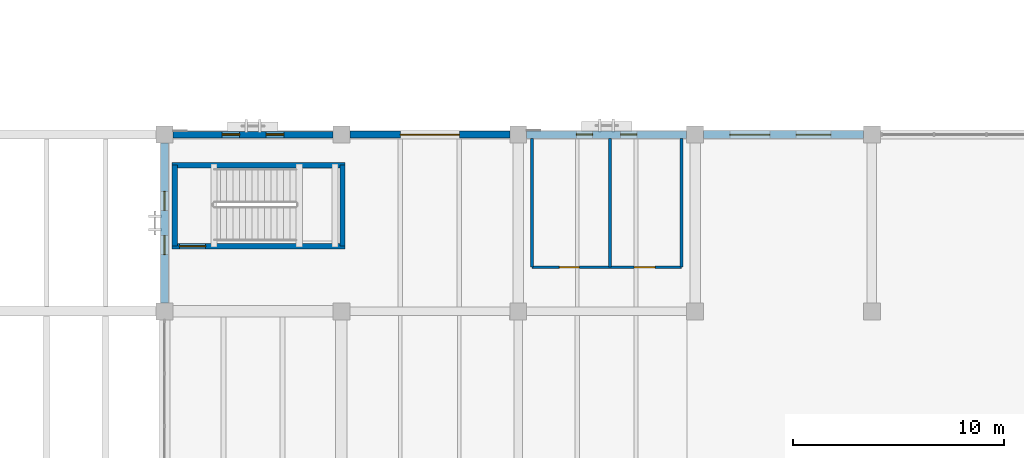
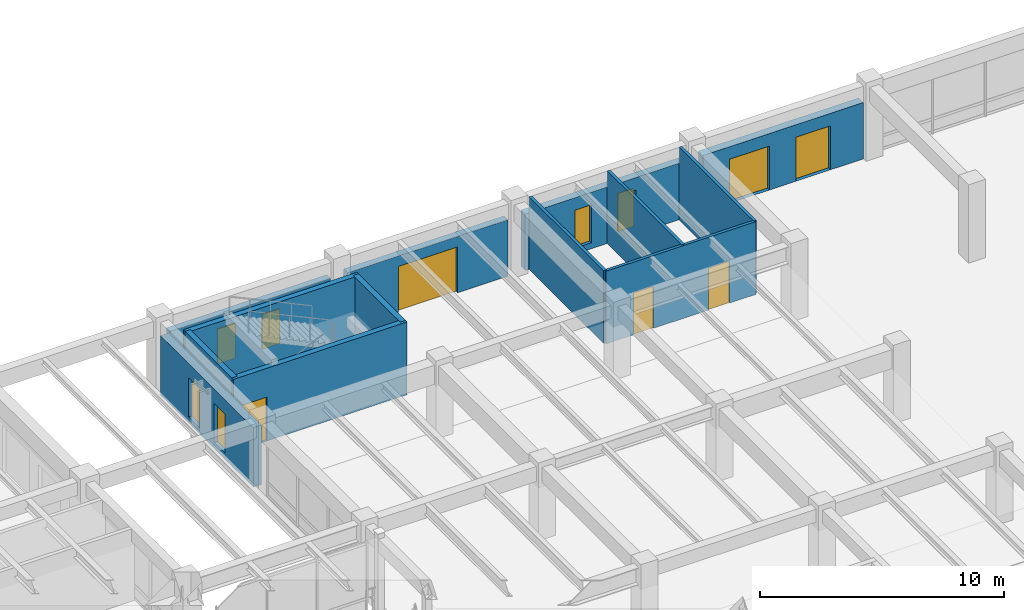
# One storey, part 95 of 135: 13 walls, 6 doors, 6 windows, 12 openings.
"""IFC4 building model written with IfcOpenShell, lengths in metres."""

from ifc_helpers import new_model, si_unit, direction, frame, frame_2d, origin, place, context, subcontext, project, spatial, rectangle, extrude, material, layer, layer_set, type_object, element, fill, save


model = new_model("IFC4")

# Units and contexts
model_context = context("Model", 3, precision=1e-05, world=origin(), true_north=direction((0.0, 1.0)))
body_context = subcontext(model_context, "Body", "Model", "MODEL_VIEW")
ifc_project = project(units=[si_unit("LENGTHUNIT", "METRE"), si_unit("AREAUNIT", "SQUARE_METRE"), si_unit("VOLUMEUNIT", "CUBIC_METRE"), si_unit("PLANEANGLEUNIT", "RADIAN"), si_unit("MASSUNIT", "GRAM", prefix="KILO")], contexts=[model_context])

# Site, building, storey
site_placement = place(None, origin())
site = spatial("IfcSite", under=ifc_project, at=site_placement, CompositionType="ELEMENT")
building_placement = place(site_placement, origin())
building = spatial("IfcBuilding", under=site, at=building_placement, Name="Cumbredor Promenade Congress Hotel", CompositionType="ELEMENT")
storey_placement = place(building_placement, origin())
storey = spatial("IfcBuildingStorey", under=building, at=storey_placement, Name="L00", CompositionType="ELEMENT", Elevation=0.0)

# Wall, openings, windows
ifc_material_1 = material(Name="Concrete C40/50", Category="concrete")
ifc_layer_1 = layer(ifc_material_1, 0.300048828125, Name="Concrete C40/50", Category="concrete")
ifc_layer_set_1 = layer_set([ifc_layer_1], Name="Concrete C40/50")
wall_type_1 = type_object("IfcWallType", Name="WL-EXT-300", PredefinedType="SOLIDWALL", material=ifc_layer_set_1)
wall_1_placement = place(storey_placement, frame((92.801025390625, 117.60009765625, 0.0), z_axis=(0.0, 0.0, 1.0), x_axis=(1.0, 0.0, 0.0)))
wall_1 = element("IfcWall", 1, at=wall_1_placement, inside=storey, type_object=wall_type_1, Name="L00 Pre-Function and Breakout Meeting Forum North Envelope Wall 1", PredefinedType="SOLIDWALL", context=body_context, shape_type="SweptSolid", body=[
    extrude(rectangle(XDim=7.597900390625, YDim=0.300048828125, at=frame_2d((3.798828125, 0.0))), origin(), (0.0, 0.0, 1.0), 2.824951171875),
])
opening_1_placement = place(wall_1_placement, frame((2.3291015625, 0.0, 0.300048828125)))
opening_1 = element("IfcOpeningElement", 2, at=opening_1_placement, cuts=wall_1, Name="Opening WN-62", PredefinedType="OPENING", context=body_context, shape_type="SweptSolid", body=[
    extrude(rectangle(XDim=0.840087890625, YDim=1.75, at=frame_2d((0.419921875, 0.875))), frame((0.0, 0.16015625, 0.0), z_axis=(0.0, -1.0, 0.0), x_axis=(1.0, 0.0, 0.0)), (0.0, 0.0, 1.0), 0.320068359375),
])
opening_2_placement = place(wall_1_placement, frame((4.428955078125, 0.0, 0.300048828125)))
opening_2 = element("IfcOpeningElement", 3, at=opening_2_placement, cuts=wall_1, Name="Opening WN-62", PredefinedType="OPENING", context=body_context, shape_type="SweptSolid", body=[
    extrude(rectangle(XDim=0.840087890625, YDim=1.75, at=frame_2d((0.419921875, 0.875))), frame((0.0, 0.16015625, 0.0), z_axis=(0.0, -1.0, 0.0), x_axis=(1.0, 0.0, 0.0)), (0.0, 0.0, 1.0), 0.320068359375),
])
ifc_material_2 = material(Name="Thermally broken anodized aluminium and low-E glass", Category="aluminium")
window_type_1 = type_object("IfcWindowType", Name="Vertical Slot Window WN-62 840x1750", PartitioningType="SINGLE_PANEL", PredefinedType="WINDOW", material=ifc_material_2)
window_1_placement = place(opening_1_placement, origin())
window_1 = element("IfcWindow", 4, at=window_1_placement, inside=storey, type_object=window_type_1, Name="L00 Vertical Slot Window 0043", OverallHeight=1.75, OverallWidth=0.840087890625, PartitioningType="SINGLE_PANEL", PredefinedType="WINDOW", context=body_context, shape_type="SweptSolid", body=[
    extrude(rectangle(XDim=0.840087890625, YDim=1.75, at=frame_2d((0.419921875, 0.875))), frame((0.0, 0.030029296875, 0.0), z_axis=(0.0, -1.0, 0.0), x_axis=(1.0, 0.0, 0.0)), (0.0, 0.0, 1.0), 0.06005859375),
])
fill(opening_1, window_1)
window_2_placement = place(opening_2_placement, origin())
window_2 = element("IfcWindow", 5, at=window_2_placement, inside=storey, type_object=window_type_1, Name="L00 Vertical Slot Window 0044", OverallHeight=1.75, OverallWidth=0.840087890625, PartitioningType="SINGLE_PANEL", PredefinedType="WINDOW", context=body_context, shape_type="SweptSolid", body=[
    extrude(rectangle(XDim=0.840087890625, YDim=1.75, at=frame_2d((0.419921875, 0.875))), frame((0.0, 0.030029296875, 0.0), z_axis=(0.0, -1.0, 0.0), x_axis=(1.0, 0.0, 0.0)), (0.0, 0.0, 1.0), 0.06005859375),
])
fill(opening_2, window_2)

# Wall, opening, door
ifc_layer_2 = layer(ifc_material_1, 0.324951171875, Name="Concrete C40/50", Category="concrete")
ifc_layer_set_2 = layer_set([ifc_layer_2], Name="Concrete C40/50")
wall_type_2 = type_object("IfcWallType", Name="WL-EXT-325", PredefinedType="SOLIDWALL", material=ifc_layer_set_2)
wall_2_placement = place(storey_placement, frame((101.200927734375, 117.60009765625, 0.0), z_axis=(0.0, 0.0, 1.0), x_axis=(1.0, 0.0, 0.0)))
wall_2 = element("IfcWall", 6, at=wall_2_placement, inside=storey, type_object=wall_type_2, Name="L00 Pre-Function and Breakout Meeting Forum North Envelope Wall 2", PredefinedType="SOLIDWALL", context=body_context, shape_type="SweptSolid", body=[
    extrude(rectangle(XDim=7.59814453125, YDim=0.324951171875, at=frame_2d((3.799072265625, 0.0))), origin(), (0.0, 0.0, 1.0), 2.824951171875),
])
opening_3_placement = place(wall_2_placement, frame((2.39892578125, 0.0, 0.0)))
opening_3 = element("IfcOpeningElement", 7, at=opening_3_placement, cuts=wall_2, Name="Opening VG-04", PredefinedType="OPENING", context=body_context, shape_type="SweptSolid", body=[
    extrude(rectangle(XDim=2.800048828125, YDim=2.300048828125, at=frame_2d((1.39990234375, 1.14990234375))), frame((0.0, 0.17236328125, 0.0), z_axis=(0.0, -1.0, 0.0), x_axis=(1.0, 0.0, 0.0)), (0.0, 0.0, 1.0), 0.344970703125),
])
ifc_material_3 = material(Name="Thermally broken anodized aluminium and laminated safety glass", Category="aluminium")
door_type_1 = type_object("IfcDoorType", Name="Promenade Court Gate VG-04 2800x2300", OperationType="DOUBLE_DOOR_SINGLE_SWING", PredefinedType="GATE", material=ifc_material_3)
door_1_placement = place(opening_3_placement, origin())
door_1 = element("IfcDoor", 8, at=door_1_placement, inside=storey, type_object=door_type_1, Name="L00 Pre-Function and Breakout Meeting Forum North Final Exit Door 22", OperationType="DOUBLE_DOOR_SINGLE_SWING", OverallHeight=2.300048828125, OverallWidth=2.800048828125, PredefinedType="GATE", context=body_context, shape_type="SweptSolid", body=[
    extrude(rectangle(XDim=2.800048828125, YDim=2.300048828125, at=frame_2d((1.39990234375, 1.14990234375))), frame((0.0, 0.02490234375, 0.0), z_axis=(0.0, -1.0, 0.0), x_axis=(1.0, 0.0, 0.0)), (0.0, 0.0, 1.0), 0.050048828125),
])
fill(opening_3, door_1)

# Wall, openings, windows
ifc_layer_3 = layer(ifc_material_1, 0.35009765625, Name="Concrete C40/50", Category="concrete")
ifc_layer_set_3 = layer_set([ifc_layer_3], Name="Concrete C40/50")
wall_type_3 = type_object("IfcWallType", Name="WL-EXT-350", PredefinedType="SOLIDWALL", material=ifc_layer_set_3)
wall_3_placement = place(storey_placement, frame((109.60107421875, 117.60009765625, 0.0), z_axis=(0.0, 0.0, 1.0), x_axis=(1.0, 0.0, 0.0)))
wall_3 = element("IfcWall", 9, at=wall_3_placement, inside=storey, type_object=wall_type_3, Name="L00 Pre-Function and Breakout Meeting Forum North Envelope Wall 3", PredefinedType="SOLIDWALL", context=body_context, shape_type="SweptSolid", body=[
    extrude(rectangle(XDim=7.597900390625, YDim=0.35009765625, at=frame_2d((3.798828125, 0.0))), origin(), (0.0, 0.0, 1.0), 2.824951171875),
])
opening_4_placement = place(wall_3_placement, frame((2.364013671875, 0.0, 0.300048828125)))
opening_4 = element("IfcOpeningElement", 10, at=opening_4_placement, cuts=wall_3, Name="Opening WN-66", PredefinedType="OPENING", context=body_context, shape_type="SweptSolid", body=[
    extrude(rectangle(XDim=0.77001953125, YDim=1.89990234375, at=frame_2d((0.385009765625, 0.949951171875))), frame((0.0, 0.18505859375, 0.0), z_axis=(0.0, -1.0, 0.0), x_axis=(1.0, 0.0, 0.0)), (0.0, 0.0, 1.0), 0.3701171875),
])
opening_5_placement = place(wall_3_placement, frame((4.464111328125, 0.0, 0.300048828125)))
opening_5 = element("IfcOpeningElement", 11, at=opening_5_placement, cuts=wall_3, Name="Opening WN-66", PredefinedType="OPENING", context=body_context, shape_type="SweptSolid", body=[
    extrude(rectangle(XDim=0.77001953125, YDim=1.89990234375, at=frame_2d((0.385009765625, 0.949951171875))), frame((0.0, 0.18505859375, 0.0), z_axis=(0.0, -1.0, 0.0), x_axis=(1.0, 0.0, 0.0)), (0.0, 0.0, 1.0), 0.3701171875),
])
window_type_2 = type_object("IfcWindowType", Name="Vertical Slot Window WN-66 770x1900", PartitioningType="SINGLE_PANEL", PredefinedType="WINDOW", material=ifc_material_2)
window_3_placement = place(opening_4_placement, origin())
window_3 = element("IfcWindow", 12, at=window_3_placement, inside=storey, type_object=window_type_2, Name="L00 Vertical Slot Window 0045", OverallHeight=1.89990234375, OverallWidth=0.77001953125, PartitioningType="SINGLE_PANEL", PredefinedType="WINDOW", context=body_context, shape_type="SweptSolid", body=[
    extrude(rectangle(XDim=0.77001953125, YDim=1.89990234375, at=frame_2d((0.385009765625, 0.949951171875))), frame((0.0, 0.030029296875, 0.0), z_axis=(0.0, -1.0, 0.0), x_axis=(1.0, 0.0, 0.0)), (0.0, 0.0, 1.0), 0.06005859375),
])
fill(opening_4, window_3)
window_4_placement = place(opening_5_placement, origin())
window_4 = element("IfcWindow", 13, at=window_4_placement, inside=storey, type_object=window_type_2, Name="L00 Vertical Slot Window 0046", OverallHeight=1.89990234375, OverallWidth=0.77001953125, PartitioningType="SINGLE_PANEL", PredefinedType="WINDOW", context=body_context, shape_type="SweptSolid", body=[
    extrude(rectangle(XDim=0.77001953125, YDim=1.89990234375, at=frame_2d((0.385009765625, 0.949951171875))), frame((0.0, 0.030029296875, 0.0), z_axis=(0.0, -1.0, 0.0), x_axis=(1.0, 0.0, 0.0)), (0.0, 0.0, 1.0), 0.06005859375),
])
fill(opening_5, window_4)

# Wall, openings, doors
ifc_layer_4 = layer(ifc_material_1, 0.3798828125, Name="Concrete C40/50", Category="concrete")
ifc_layer_set_4 = layer_set([ifc_layer_4], Name="Concrete C40/50")
wall_type_4 = type_object("IfcWallType", Name="WL-EXT-380", PredefinedType="SOLIDWALL", material=ifc_layer_set_4)
wall_4_placement = place(storey_placement, frame((118.0009765625, 117.60009765625, 0.0), z_axis=(0.0, 0.0, 1.0), x_axis=(1.0, 0.0, 0.0)))
wall_4 = element("IfcWall", 14, at=wall_4_placement, inside=storey, type_object=wall_type_4, Name="L00 Pre-Function and Breakout Meeting Forum North Envelope Wall 4", PredefinedType="SOLIDWALL", context=body_context, shape_type="SweptSolid", body=[
    extrude(rectangle(XDim=7.59814453125, YDim=0.3798828125, at=frame_2d((3.799072265625, 0.0))), origin(), (0.0, 0.0, 1.0), 2.824951171875),
])
opening_6_placement = place(wall_4_placement, frame((1.2490234375, 0.0, 0.0)))
opening_6 = element("IfcOpeningElement", 15, at=opening_6_placement, cuts=wall_4, Name="Opening EX-02", PredefinedType="OPENING", context=body_context, shape_type="SweptSolid", body=[
    extrude(rectangle(XDim=1.89990234375, YDim=2.199951171875, at=frame_2d((0.949951171875, 1.10009765625))), frame((0.0, 0.199951171875, 0.0), z_axis=(0.0, -1.0, 0.0), x_axis=(1.0, 0.0, 0.0)), (0.0, 0.0, 1.0), 0.39990234375),
])
opening_7_placement = place(wall_4_placement, frame((4.39794921875, 0.0, 0.0)))
opening_7 = element("IfcOpeningElement", 16, at=opening_7_placement, cuts=wall_4, Name="Opening EX-08", PredefinedType="OPENING", context=body_context, shape_type="SweptSolid", body=[
    extrude(rectangle(XDim=1.64990234375, YDim=2.199951171875, at=frame_2d((0.824951171875, 1.10009765625))), frame((0.0, 0.199951171875, 0.0), z_axis=(0.0, -1.0, 0.0), x_axis=(1.0, 0.0, 0.0)), (0.0, 0.0, 1.0), 0.39990234375),
])
door_type_2 = type_object("IfcDoorType", Name="EXT-DR-EXIT-1650x2200", OperationType="DOUBLE_DOOR_SINGLE_SWING", PredefinedType="DOOR", material=ifc_material_3)
door_2_placement = place(opening_7_placement, origin())
door_2 = element("IfcDoor", 17, at=door_2_placement, inside=storey, type_object=door_type_2, Name="L00 Pre-Function and Breakout Meeting Forum North Final Exit Door 23.2", OperationType="DOUBLE_DOOR_SINGLE_SWING", OverallHeight=2.199951171875, OverallWidth=1.64990234375, PredefinedType="DOOR", context=body_context, shape_type="SweptSolid", body=[
    extrude(rectangle(XDim=1.64990234375, YDim=2.199951171875, at=frame_2d((0.824951171875, 1.10009765625))), frame((0.0, 0.02490234375, 0.0), z_axis=(0.0, -1.0, 0.0), x_axis=(1.0, 0.0, 0.0)), (0.0, 0.0, 1.0), 0.050048828125),
])
fill(opening_7, door_2)
door_type_3 = type_object("IfcDoorType", Name="EXT-DR-EXIT-1900x2200", OperationType="DOUBLE_DOOR_SINGLE_SWING", PredefinedType="DOOR", material=ifc_material_3)
door_3_placement = place(opening_6_placement, origin())
door_3 = element("IfcDoor", 18, at=door_3_placement, inside=storey, type_object=door_type_3, Name="L00 Pre-Function and Breakout Meeting Forum North Final Exit Door 23.1", OperationType="DOUBLE_DOOR_SINGLE_SWING", OverallHeight=2.199951171875, OverallWidth=1.89990234375, PredefinedType="DOOR", context=body_context, shape_type="SweptSolid", body=[
    extrude(rectangle(XDim=1.89990234375, YDim=2.199951171875, at=frame_2d((0.949951171875, 1.10009765625))), frame((0.0, 0.02490234375, 0.0), z_axis=(0.0, -1.0, 0.0), x_axis=(1.0, 0.0, 0.0)), (0.0, 0.0, 1.0), 0.050048828125),
])
fill(opening_6, door_3)

# Wall, openings, windows
wall_5_placement = place(storey_placement, frame((92.39990234375, 109.60107421875, 0.0), z_axis=(0.0, 0.0, 1.0), x_axis=(0.0, 1.0, 0.0)))
wall_5 = element("IfcWall", 19, at=wall_5_placement, inside=storey, type_object=wall_type_4, Name="L00 Pre-Function and Breakout Meeting Forum West Envelope Wall 4", PredefinedType="SOLIDWALL", context=body_context, shape_type="SweptSolid", body=[
    extrude(rectangle(XDim=7.597900390625, YDim=0.3798828125, at=frame_2d((3.798828125, 0.0))), origin(), (0.0, 0.0, 1.0), 2.97509765625),
])
opening_8_placement = place(wall_5_placement, frame((2.299072265625, 0.0, 0.300048828125)))
opening_8 = element("IfcOpeningElement", 20, at=opening_8_placement, cuts=wall_5, Name="Opening WN-52", PredefinedType="OPENING", context=body_context, shape_type="SweptSolid", body=[
    extrude(rectangle(XDim=0.89990234375, YDim=1.949951171875, at=frame_2d((0.449951171875, 0.97509765625))), frame((0.0, 0.199951171875, 0.0), z_axis=(0.0, -1.0, 0.0), x_axis=(1.0, 0.0, 0.0)), (0.0, 0.0, 1.0), 0.39990234375),
])
opening_9_placement = place(wall_5_placement, frame((4.39892578125, 0.0, 0.300048828125)))
opening_9 = element("IfcOpeningElement", 21, at=opening_9_placement, cuts=wall_5, Name="Opening WN-52", PredefinedType="OPENING", context=body_context, shape_type="SweptSolid", body=[
    extrude(rectangle(XDim=0.89990234375, YDim=1.949951171875, at=frame_2d((0.449951171875, 0.97509765625))), frame((0.0, 0.199951171875, 0.0), z_axis=(0.0, -1.0, 0.0), x_axis=(1.0, 0.0, 0.0)), (0.0, 0.0, 1.0), 0.39990234375),
])
window_type_3 = type_object("IfcWindowType", Name="Vertical Slot Window WN-52 900x1950", PartitioningType="SINGLE_PANEL", PredefinedType="WINDOW", material=ifc_material_2)
window_5_placement = place(opening_8_placement, origin())
window_5 = element("IfcWindow", 22, at=window_5_placement, inside=storey, type_object=window_type_3, Name="L00 Vertical Slot Window 0055", OverallHeight=1.949951171875, OverallWidth=0.89990234375, PartitioningType="SINGLE_PANEL", PredefinedType="WINDOW", context=body_context, shape_type="SweptSolid", body=[
    extrude(rectangle(XDim=0.89990234375, YDim=1.949951171875, at=frame_2d((0.449951171875, 0.97509765625))), frame((0.0, 0.030029296875, 0.0), z_axis=(0.0, -1.0, 0.0), x_axis=(1.0, 0.0, 0.0)), (0.0, 0.0, 1.0), 0.06005859375),
])
fill(opening_8, window_5)
window_6_placement = place(opening_9_placement, origin())
window_6 = element("IfcWindow", 23, at=window_6_placement, inside=storey, type_object=window_type_3, Name="L00 Vertical Slot Window 0056", OverallHeight=1.949951171875, OverallWidth=0.89990234375, PartitioningType="SINGLE_PANEL", PredefinedType="WINDOW", context=body_context, shape_type="SweptSolid", body=[
    extrude(rectangle(XDim=0.89990234375, YDim=1.949951171875, at=frame_2d((0.449951171875, 0.97509765625))), frame((0.0, 0.030029296875, 0.0), z_axis=(0.0, -1.0, 0.0), x_axis=(1.0, 0.0, 0.0)), (0.0, 0.0, 1.0), 0.06005859375),
])
fill(opening_9, window_6)

# Wall, openings, doors
ifc_material_4 = material(Name="Acoustic gypsum partition on steel studs", Category="steel")
ifc_layer_5 = layer(ifc_material_4, 0.139892578125, Name="Acoustic gypsum partition on steel studs", Category="steel")
ifc_layer_set_5 = layer_set([ifc_layer_5], Name="Acoustic gypsum partition on steel studs")
wall_type_5 = type_object("IfcWallType", Name="WL-PART-140", PredefinedType="PARTITIONING", material=ifc_layer_set_5)
wall_6_placement = place(storey_placement, frame((109.85009765625, 111.300048828125, 0.0), z_axis=(0.0, 0.0, 1.0), x_axis=(1.0, 0.0, 0.0)))
wall_6 = element("IfcWall", 24, at=wall_6_placement, inside=storey, type_object=wall_type_5, Name="L00 Interior Partition W-L00-V4-WC", PredefinedType="PARTITIONING", context=body_context, shape_type="SweptSolid", body=[
    extrude(rectangle(XDim=7.099853515625, YDim=0.139892578125, at=frame_2d((3.5498046875, 0.0))), origin(), (0.0, 0.0, 1.0), 3.639892578125),
])
opening_10_placement = place(wall_6_placement, frame((1.300048828125, 0.0, 0.0)))
opening_10 = element("IfcOpeningElement", 25, at=opening_10_placement, cuts=wall_6, Name="Opening ID-02", PredefinedType="OPENING", context=body_context, shape_type="SweptSolid", body=[
    extrude(rectangle(XDim=0.949951171875, YDim=2.10009765625, at=frame_2d((0.47509765625, 1.050048828125))), frame((0.0, 0.080078125, 0.0), z_axis=(0.0, -1.0, 0.0), x_axis=(1.0, 0.0, 0.0)), (0.0, 0.0, 1.0), 0.159912109375),
])
opening_11_placement = place(wall_6_placement, frame((4.85009765625, 0.0, 0.0)))
opening_11 = element("IfcOpeningElement", 26, at=opening_11_placement, cuts=wall_6, Name="Opening ID-03", PredefinedType="OPENING", context=body_context, shape_type="SweptSolid", body=[
    extrude(rectangle(XDim=1.0, YDim=2.10009765625, at=frame_2d((0.5, 1.050048828125))), frame((0.0, 0.080078125, 0.0), z_axis=(0.0, -1.0, 0.0), x_axis=(1.0, 0.0, 0.0)), (0.0, 0.0, 1.0), 0.159912109375),
])
ifc_material_5 = material(Name="Kiln-dried tropical hardwood", Category="wood")
door_type_4 = type_object("IfcDoorType", Name="DR-ACC-1000", OperationType="NOTDEFINED", PredefinedType="DOOR", material=ifc_material_5)
door_4_placement = place(opening_11_placement, origin())
door_4 = element("IfcDoor", 27, at=door_4_placement, inside=storey, type_object=door_type_4, Name="L00 Interior Door W-L00-V4-WC-02", OperationType="SINGLE_SWING_RIGHT", OverallHeight=2.10009765625, OverallWidth=1.0, PredefinedType="DOOR", context=body_context, shape_type="SweptSolid", body=[
    extrude(rectangle(XDim=1.0, YDim=2.10009765625, at=frame_2d((0.5, 1.050048828125))), frame((0.0, 0.02490234375, 0.0), z_axis=(0.0, -1.0, 0.0), x_axis=(1.0, 0.0, 0.0)), (0.0, 0.0, 1.0), 0.050048828125),
])
fill(opening_11, door_4)
door_type_5 = type_object("IfcDoorType", Name="DR-INT-950", OperationType="NOTDEFINED", PredefinedType="DOOR", material=ifc_material_5)
door_5_placement = place(opening_10_placement, origin())
door_5 = element("IfcDoor", 28, at=door_5_placement, inside=storey, type_object=door_type_5, Name="L00 Interior Door W-L00-V4-WC-01", OperationType="SINGLE_SWING_LEFT", OverallHeight=2.10009765625, OverallWidth=0.949951171875, PredefinedType="DOOR", context=body_context, shape_type="SweptSolid", body=[
    extrude(rectangle(XDim=0.949951171875, YDim=2.10009765625, at=frame_2d((0.47509765625, 1.050048828125))), frame((0.0, 0.02490234375, 0.0), z_axis=(0.0, -1.0, 0.0), x_axis=(1.0, 0.0, 0.0)), (0.0, 0.0, 1.0), 0.050048828125),
])
fill(opening_10, door_5)

# Walls
for number, where, z_axis, x_axis, name in (
    (29, (109.85009765625, 111.300048828125, 0.0), (0.0, 0.0, 1.0), (0.0, 1.0, 0.0), "L00 Interior Partition W-L00-V4-WC-W"),
    (30, (113.550048828125, 111.300048828125, 0.0), (0.0, 0.0, 1.0), (0.0, 1.0, 0.0), "L00 Interior Partition W-L00-V4-WC-M"),
    (31, (116.949951171875, 111.300048828125, 0.0), (0.0, 0.0, 1.0), (0.0, 1.0, 0.0), "L00 Interior Partition W-L00-V4-WC-E"),
):
    element("IfcWall", number, at=place(storey_placement, frame(where, z_axis=z_axis, x_axis=x_axis)), inside=storey, type_object=wall_type_5, Name=name, PredefinedType="PARTITIONING", context=body_context, shape_type="SweptSolid", body=[
        extrude(rectangle(XDim=6.125, YDim=0.139892578125, at=frame_2d((3.0625, 0.0))), origin(), (0.0, 0.0, 1.0), 3.639892578125),
    ])

# Wall, opening, door
ifc_layer_6 = layer(ifc_material_1, 0.2548828125, Name="Concrete C40/50", Category="concrete")
ifc_layer_set_6 = layer_set([ifc_layer_6], Name="Concrete C40/50")
wall_type_6 = type_object("IfcWallType", Name="WL-SHAFT-250", PredefinedType="SOLIDWALL", material=ifc_layer_set_6)
wall_7_placement = place(storey_placement, frame((92.75244140625, 112.300048828125, 0.0), z_axis=(0.0, 0.0, 1.0), x_axis=(1.0, 0.0, 0.0)))
wall_7 = element("IfcWall", 32, at=wall_7_placement, inside=storey, type_object=wall_type_6, Name="STAIR-ST-15-L00 Shaft Wall South", PredefinedType="SOLIDWALL", context=body_context, shape_type="SweptSolid", body=[
    extrude(rectangle(XDim=8.22509765625, YDim=0.2548828125, at=frame_2d((4.112548828125, 0.0))), origin(), (0.0, 0.0, 1.0), 3.639892578125),
])
opening_12_placement = place(wall_7_placement, frame((0.35009765625, 0.0, 0.0)))
opening_12 = element("IfcOpeningElement", 33, at=opening_12_placement, cuts=wall_7, Name="Opening SD-02", PredefinedType="OPENING", context=body_context, shape_type="SweptSolid", body=[
    extrude(rectangle(XDim=1.25, YDim=2.199951171875, at=frame_2d((0.625, 1.10009765625))), frame((0.0, 0.137451171875, 0.0), z_axis=(0.0, -1.0, 0.0), x_axis=(1.0, 0.0, 0.0)), (0.0, 0.0, 1.0), 0.27490234375),
])
ifc_material_6 = material(Name="Painted galvanized steel fire door", Category="steel")
door_type_6 = type_object("IfcDoorType", Name="DR-STAIR-FD90-1250", OperationType="NOTDEFINED", PredefinedType="DOOR", material=ifc_material_6)
door_6_placement = place(opening_12_placement, origin())
door_6 = element("IfcDoor", 34, at=door_6_placement, inside=storey, type_object=door_type_6, Name="L00 Protected Exit Stair ST-15 Door", OperationType="SINGLE_SWING_RIGHT", OverallHeight=2.199951171875, OverallWidth=1.25, PredefinedType="DOOR", context=body_context, shape_type="SweptSolid", body=[
    extrude(rectangle(XDim=1.25, YDim=2.199951171875, at=frame_2d((0.625, 1.10009765625))), frame((0.0, 0.02490234375, 0.0), z_axis=(0.0, -1.0, 0.0), x_axis=(1.0, 0.0, 0.0)), (0.0, 0.0, 1.0), 0.050048828125),
])
fill(opening_12, door_6)

# Walls
wall_8_placement = place(storey_placement, frame((92.75244140625, 116.14990234375, 0.0), z_axis=(0.0, 0.0, 1.0), x_axis=(1.0, 0.0, 0.0)))
element("IfcWall", 35, at=wall_8_placement, inside=storey, type_object=wall_type_6, Name="STAIR-ST-15-L00 Shaft Wall North", PredefinedType="SOLIDWALL", context=body_context, shape_type="SweptSolid", body=[
    extrude(rectangle(XDim=8.22509765625, YDim=0.2548828125, at=frame_2d((4.112548828125, 0.0))), origin(), (0.0, 0.0, 1.0), 3.639892578125),
])
for number, where, z_axis, x_axis, name in (
    (36, (92.8798828125, 112.300048828125, 0.0), (0.0, 0.0, 1.0), (0.0, 1.0, 0.0), "STAIR-ST-15-L00 Shaft Wall West"),
    (37, (100.85009765625, 112.300048828125, 0.0), (0.0, 0.0, 1.0), (0.0, 1.0, 0.0), "STAIR-ST-15-L00 Shaft Wall East"),
):
    element("IfcWall", number, at=place(storey_placement, frame(where, z_axis=z_axis, x_axis=x_axis)), inside=storey, type_object=wall_type_6, Name=name, PredefinedType="SOLIDWALL", context=body_context, shape_type="SweptSolid", body=[
        extrude(rectangle(XDim=3.849853515625, YDim=0.2548828125, at=frame_2d((1.9248046875, 0.0))), origin(), (0.0, 0.0, 1.0), 3.639892578125),
    ])

save(model, "model.ifc")
